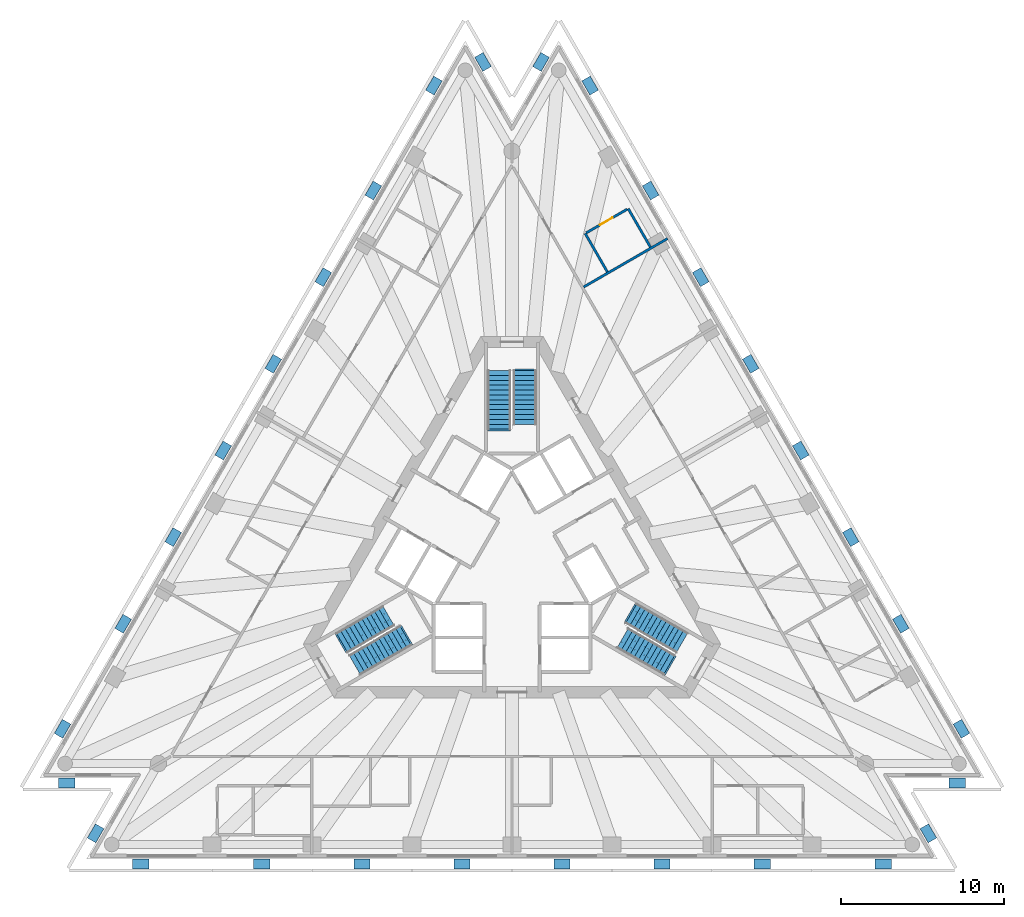
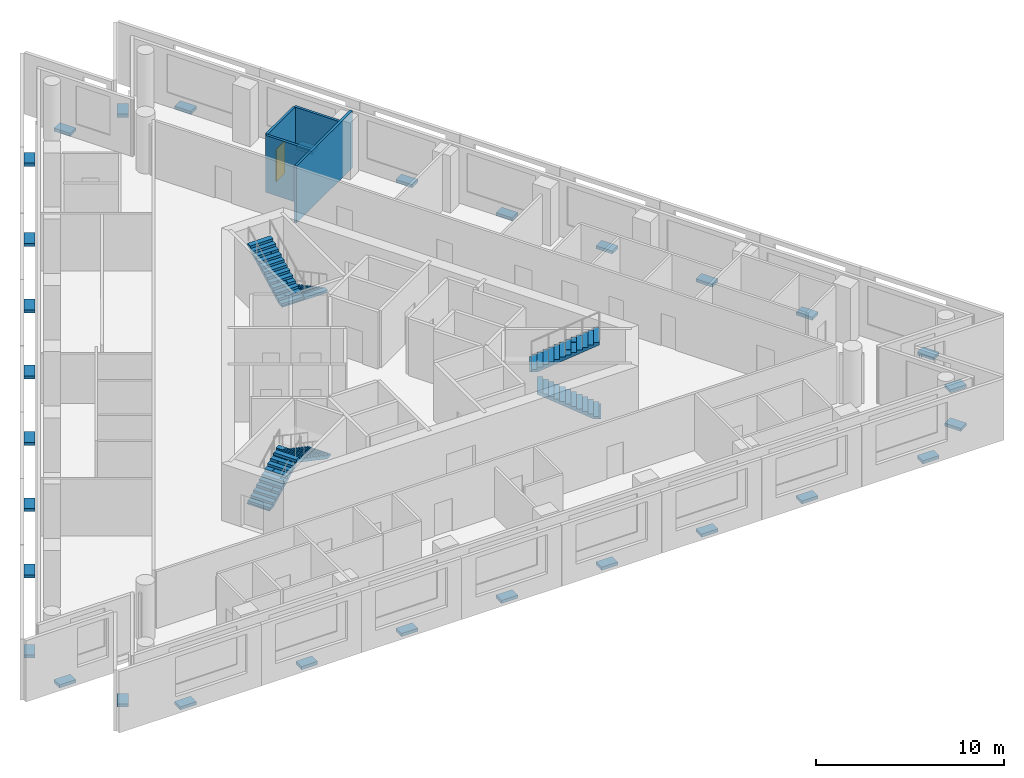
# One storey, part 7 of 9: 30 discrete accessories, 6 stair flights, 4 walls, 1 door, 1 opening, 3 elements without a shape of their own.
"""IFC4 building model written with IfcOpenShell, lengths in metres."""

from ifc_helpers import new_model, si_unit, direction, frame, frame_2d, origin, origin_2d, place, context, subcontext, project, spatial, polyline, rectangle, outline, extrude, material, layer, layer_set, type_object, element, fill, aggregate, save


model = new_model("IFC4")

# Units and contexts
model_context = context("Model", 3, precision=1e-05, world=origin(), true_north=direction((0.0, 1.0)))
body_context = subcontext(model_context, "Body", "Model", "MODEL_VIEW")
ifc_project = project(units=[si_unit("LENGTHUNIT", "METRE"), si_unit("AREAUNIT", "SQUARE_METRE"), si_unit("VOLUMEUNIT", "CUBIC_METRE"), si_unit("PLANEANGLEUNIT", "RADIAN"), si_unit("MASSUNIT", "GRAM", prefix="KILO")], contexts=[model_context])

# Site, building, storey
site_placement = place(None, origin())
site = spatial("IfcSite", under=ifc_project, at=site_placement, CompositionType="ELEMENT")
building_placement = place(site_placement, origin())
building = spatial("IfcBuilding", under=site, at=building_placement, Name="Triada Interchange Tower", CompositionType="ELEMENT")
storey_placement = place(building_placement, frame((0.0, 0.0, 207.300048828125)))
storey = spatial("IfcBuildingStorey", under=building, at=storey_placement, Name="L48", CompositionType="ELEMENT", Elevation=207.300048828125)

# Walls
ifc_material_1 = material(Name="Gypsum board partition")
ifc_layer_1 = layer(ifc_material_1, 0.14990234375)
ifc_layer_set_1 = layer_set([ifc_layer_1], Name="PARTITION 150 EI 180")
wall_type_1 = type_object("IfcWallType", Name="PARTITION 150 EI 180", PredefinedType="PARTITIONING", material=ifc_layer_set_1)
wall_1_placement = place(storey_placement, frame((4.39990234375, 16.72998046875, 0.0), z_axis=(0.0, 0.0, 1.0), x_axis=(0.866064581528, 0.499932136017, 0.0)))
element("IfcWall", 1, at=wall_1_placement, inside=storey, type_object=wall_type_1, Name="Wall L47 23", PredefinedType="PARTITIONING", context=body_context, shape_type="SweptSolid", body=[
    extrude(rectangle(XDim=5.946533203125, YDim=0.14990234375, at=frame_2d((2.97314453125, 0.0))), origin(), (0.0, 0.0, 1.0), 3.699951171875),
])
ifc_layer_2 = layer(ifc_material_1, 0.14990234375)
ifc_layer_set_2 = layer_set([ifc_layer_2], Name="PARTITION 150 EI 90")
wall_type_2 = type_object("IfcWallType", Name="PARTITION 150 EI 90", PredefinedType="PARTITIONING", material=ifc_layer_set_2)
for number, where, z_axis, x_axis, name in (
    (2, (7.135986328125, 21.5419921875, 0.0), (0.0, 0.0, 1.0), (0.499849133735, -0.866112488944, 0.0), "Wall L47 46"),
    (3, (4.493896484375, 20.01708984375, 0.0), (0.0, 0.0, 1.0), (0.499849133735, -0.866112488944, 0.0), "Wall L47 48"),
):
    element("IfcWall", number, at=place(storey_placement, frame(where, z_axis=z_axis, x_axis=x_axis)), inside=storey, type_object=wall_type_2, Name=name, PredefinedType="PARTITIONING", context=body_context, shape_type="SweptSolid", body=[
        extrude(rectangle(XDim=2.724853515625, YDim=0.14990234375, at=frame_2d((1.3623046875, 0.0))), origin(), (0.0, 0.0, 1.0), 3.699951171875),
    ])

# Wall, opening, door
wall_2_placement = place(storey_placement, frame((4.55908203125, 20.053955078125, 0.0), z_axis=(0.0, 0.0, 1.0), x_axis=(0.865929066901, 0.500166823267, 0.0)))
wall_2 = element("IfcWall", 4, at=wall_2_placement, inside=storey, type_object=wall_type_2, Name="Wall L47 52", PredefinedType="PARTITIONING", context=body_context, shape_type="SweptSolid", body=[
    extrude(rectangle(XDim=2.90087890625, YDim=0.14990234375, at=frame_2d((1.450439453125, 0.0))), origin(), (0.0, 0.0, 1.0), 3.699951171875),
])
opening_placement = place(wall_2_placement, frame((0.97509765625, 0.0, 0.0)))
opening = element("IfcOpeningElement", 5, at=opening_placement, cuts=wall_2, Name="Opening D47-32", PredefinedType="OPENING", context=body_context, shape_type="SweptSolid", body=[
    extrude(rectangle(XDim=0.89990234375, YDim=2.10009765625, at=frame_2d((0.449951171875, 1.050048828125))), frame((0.0, 0.0849609375, 0.0), z_axis=(0.0, -1.0, 0.0), x_axis=(1.0, 0.0, 0.0)), (0.0, 0.0, 1.0), 0.169921875),
])
ifc_material_2 = material(Name="Steel S235 door leaf", Category="steel")
door_type = type_object("IfcDoorType", Name="ROOM DOOR 900 EI2 45-C5S200", OperationType="NOTDEFINED", PredefinedType="DOOR", material=ifc_material_2)
door_placement = place(opening_placement, origin())
door = element("IfcDoor", 6, at=door_placement, inside=storey, type_object=door_type, Name="Door D47-32 L48", OperationType="SINGLE_SWING_LEFT", OverallHeight=2.10009765625, OverallWidth=0.89990234375, PredefinedType="DOOR", context=body_context, shape_type="SweptSolid", body=[
    extrude(rectangle(XDim=0.89990234375, YDim=2.10009765625, at=frame_2d((0.449951171875, 1.050048828125))), frame((0.0, 0.02490234375, 0.0), z_axis=(0.0, -1.0, 0.0), x_axis=(1.0, 0.0, 0.0)), (0.0, 0.0, 1.0), 0.050048828125),
])
fill(opening, door)

# Stair, stair flights
ifc_material_3 = material(Name="Concrete C35/45", Category="concrete")
stair_type = type_object("IfcStairType", Name="HALF TURN STAIR 1400", PredefinedType="HALF_TURN_STAIR", material=ifc_material_3)
stair_1_placement = place(storey_placement, origin())
stair_1 = element("IfcStair", 7, at=stair_1_placement, inside=storey, type_object=stair_type, Name="Exit stair S47-1", PredefinedType="HALF_TURN_STAIR")
stair_flight_type = type_object("IfcStairFlightType", Name="STRAIGHT STAIR FLIGHT 1400", PredefinedType="STRAIGHT", material=ifc_material_3)
stair_flight_1_placement = place(storey_placement, frame((0.800048828125, 11.60009765625, 0.0), z_axis=(0.0, 0.0, 1.0), x_axis=(0.0, -1.0, 0.0)))
stair_flight_1 = element("IfcStairFlight", 8, at=stair_flight_1_placement, type_object=stair_flight_type, Name="S47-1 flight 1", NumberOfRisers=12, NumberOfTreads=11, PredefinedType="STRAIGHT", RiserHeight=0.16, TreadLength=0.3, context=body_context, shape_type="SweptSolid", body=[
    extrude(outline(polyline([(-0.10009765625, 0.0), (-0.10009765625, 0.02001953125), (0.0, 0.02001953125), (0.0, 0.159912109375), (0.300048828125, 0.159912109375), (0.300048828125, 0.320068359375), (0.60009765625, 0.320068359375), (0.60009765625, 0.47998046875), (0.89990234375, 0.47998046875), (0.89990234375, 0.639892578125), (1.199951171875, 0.639892578125), (1.199951171875, 0.800048828125), (1.5, 0.800048828125), (1.5, 0.9599609375), (1.800048828125, 0.9599609375), (1.800048828125, 1.1201171875), (2.10009765625, 1.1201171875), (2.10009765625, 1.280029296875), (2.39990234375, 1.280029296875), (2.39990234375, 1.43994140625), (2.699951171875, 1.43994140625), (2.699951171875, 1.60009765625), (3.0, 1.60009765625), (3.0, 1.760009765625), (3.300048828125, 1.760009765625), (3.303955078125, 1.760009765625), (3.303955078125, 1.919921875), (3.303955078125, 1.590087890625), (0.318603515625, 0.0), (-0.10009765625, 0.0)])), frame((0.0, 0.699951171875, 0.0), z_axis=(0.0, -1.0, 0.0), x_axis=(1.0, 0.0, 0.0)), (0.0, 0.0, 1.0), 0.46533203125),
    extrude(outline(polyline([(-0.10009765625, 0.0), (-0.10009765625, 0.02001953125), (0.0, 0.02001953125), (0.0, 0.159912109375), (0.300048828125, 0.159912109375), (0.300048828125, 0.320068359375), (0.60009765625, 0.320068359375), (0.60009765625, 0.47998046875), (0.89990234375, 0.47998046875), (0.89990234375, 0.639892578125), (1.199951171875, 0.639892578125), (1.199951171875, 0.800048828125), (1.5, 0.800048828125), (1.5, 0.9599609375), (1.800048828125, 0.9599609375), (1.800048828125, 1.1201171875), (2.10009765625, 1.1201171875), (2.10009765625, 1.280029296875), (2.39990234375, 1.280029296875), (2.39990234375, 1.43994140625), (2.699951171875, 1.43994140625), (2.699951171875, 1.60009765625), (3.0, 1.60009765625), (3.0, 1.760009765625), (3.300048828125, 1.760009765625), (3.303955078125, 1.760009765625), (3.303955078125, 1.919921875), (3.303955078125, 1.590087890625), (0.318603515625, 0.0), (-0.10009765625, 0.0)])), frame((0.0, 0.232666015625, 0.0), z_axis=(0.0, -1.0, 0.0), x_axis=(1.0, 0.0, 0.0)), (0.0, 0.0, 1.0), 0.46533203125),
    extrude(outline(polyline([(-0.10009765625, 0.0), (-0.10009765625, 0.02001953125), (0.0, 0.02001953125), (0.0, 0.159912109375), (0.300048828125, 0.159912109375), (0.300048828125, 0.320068359375), (0.60009765625, 0.320068359375), (0.60009765625, 0.47998046875), (0.89990234375, 0.47998046875), (0.89990234375, 0.639892578125), (1.199951171875, 0.639892578125), (1.199951171875, 0.800048828125), (1.5, 0.800048828125), (1.5, 0.9599609375), (1.800048828125, 0.9599609375), (1.800048828125, 1.1201171875), (2.10009765625, 1.1201171875), (2.10009765625, 1.280029296875), (2.39990234375, 1.280029296875), (2.39990234375, 1.43994140625), (2.699951171875, 1.43994140625), (2.699951171875, 1.60009765625), (3.0, 1.60009765625), (3.0, 1.760009765625), (3.300048828125, 1.760009765625), (3.303955078125, 1.760009765625), (3.303955078125, 1.919921875), (3.303955078125, 1.590087890625), (0.318603515625, 0.0), (-0.10009765625, 0.0)])), frame((0.0, -0.234619140625, 0.0), z_axis=(0.0, -1.0, 0.0), x_axis=(1.0, 0.0, 0.0)), (0.0, 0.0, 1.0), 0.46533203125),
])
stair_flight_2_placement = place(storey_placement, frame((-0.800048828125, 8.0, 1.919921875), z_axis=(0.0, 0.0, 1.0), x_axis=(0.0, 1.0, 0.0)))
stair_flight_2 = element("IfcStairFlight", 9, at=stair_flight_2_placement, type_object=stair_flight_type, Name="S47-1 flight 2", NumberOfRisers=13, NumberOfTreads=12, PredefinedType="STRAIGHT", RiserHeight=0.16, TreadLength=0.3, context=body_context, shape_type="SweptSolid", body=[
    extrude(outline(polyline([(-0.10009765625, 0.0), (-0.10009765625, 0.02001953125), (0.0, 0.02001953125), (0.0, 0.159912109375), (0.300048828125, 0.159912109375), (0.300048828125, 0.320068359375), (0.60009765625, 0.320068359375), (0.60009765625, 0.47998046875), (0.89990234375, 0.47998046875), (0.89990234375, 0.639892578125), (1.199951171875, 0.639892578125), (1.199951171875, 0.800048828125), (1.5, 0.800048828125), (1.5, 0.9599609375), (1.800048828125, 0.9599609375), (1.800048828125, 1.1201171875), (2.10009765625, 1.1201171875), (2.10009765625, 1.280029296875), (2.39990234375, 1.280029296875), (2.39990234375, 1.43994140625), (2.699951171875, 1.43994140625), (2.699951171875, 1.60009765625), (3.0, 1.60009765625), (3.0, 1.760009765625), (3.300048828125, 1.760009765625), (3.300048828125, 1.919921875), (3.60009765625, 1.919921875), (3.60400390625, 1.919921875), (3.60400390625, 2.080078125), (3.60400390625, 1.75), (0.318603515625, 0.0), (-0.10009765625, 0.0)])), frame((0.0, 0.699951171875, 0.0), z_axis=(0.0, -1.0, 0.0), x_axis=(1.0, 0.0, 0.0)), (0.0, 0.0, 1.0), 0.46533203125),
    extrude(outline(polyline([(-0.10009765625, 0.0), (-0.10009765625, 0.02001953125), (0.0, 0.02001953125), (0.0, 0.159912109375), (0.300048828125, 0.159912109375), (0.300048828125, 0.320068359375), (0.60009765625, 0.320068359375), (0.60009765625, 0.47998046875), (0.89990234375, 0.47998046875), (0.89990234375, 0.639892578125), (1.199951171875, 0.639892578125), (1.199951171875, 0.800048828125), (1.5, 0.800048828125), (1.5, 0.9599609375), (1.800048828125, 0.9599609375), (1.800048828125, 1.1201171875), (2.10009765625, 1.1201171875), (2.10009765625, 1.280029296875), (2.39990234375, 1.280029296875), (2.39990234375, 1.43994140625), (2.699951171875, 1.43994140625), (2.699951171875, 1.60009765625), (3.0, 1.60009765625), (3.0, 1.760009765625), (3.300048828125, 1.760009765625), (3.300048828125, 1.919921875), (3.60009765625, 1.919921875), (3.60400390625, 1.919921875), (3.60400390625, 2.080078125), (3.60400390625, 1.75), (0.318603515625, 0.0), (-0.10009765625, 0.0)])), frame((0.0, 0.232666015625, 0.0), z_axis=(0.0, -1.0, 0.0), x_axis=(1.0, 0.0, 0.0)), (0.0, 0.0, 1.0), 0.46533203125),
    extrude(outline(polyline([(-0.10009765625, 0.0), (-0.10009765625, 0.02001953125), (0.0, 0.02001953125), (0.0, 0.159912109375), (0.300048828125, 0.159912109375), (0.300048828125, 0.320068359375), (0.60009765625, 0.320068359375), (0.60009765625, 0.47998046875), (0.89990234375, 0.47998046875), (0.89990234375, 0.639892578125), (1.199951171875, 0.639892578125), (1.199951171875, 0.800048828125), (1.5, 0.800048828125), (1.5, 0.9599609375), (1.800048828125, 0.9599609375), (1.800048828125, 1.1201171875), (2.10009765625, 1.1201171875), (2.10009765625, 1.280029296875), (2.39990234375, 1.280029296875), (2.39990234375, 1.43994140625), (2.699951171875, 1.43994140625), (2.699951171875, 1.60009765625), (3.0, 1.60009765625), (3.0, 1.760009765625), (3.300048828125, 1.760009765625), (3.300048828125, 1.919921875), (3.60009765625, 1.919921875), (3.60400390625, 1.919921875), (3.60400390625, 2.080078125), (3.60400390625, 1.75), (0.318603515625, 0.0), (-0.10009765625, 0.0)])), frame((0.0, -0.234619140625, 0.0), z_axis=(0.0, -1.0, 0.0), x_axis=(1.0, 0.0, 0.0)), (0.0, 0.0, 1.0), 0.46533203125),
])
aggregate(stair_1, [stair_flight_1, stair_flight_2])

stair_2_placement = place(storey_placement, origin())
stair_2 = element("IfcStair", 10, at=stair_2_placement, inside=storey, type_object=stair_type, Name="Exit stair S47-2", PredefinedType="HALF_TURN_STAIR")
stair_flight_3_placement = place(storey_placement, frame((-10.446044921875, -5.10693359375, 0.0), z_axis=(0.0, 0.0, 1.0), x_axis=(0.866025403784, 0.5, 0.0)))
stair_flight_3 = element("IfcStairFlight", 11, at=stair_flight_3_placement, type_object=stair_flight_type, Name="S47-2 flight 1", NumberOfRisers=12, NumberOfTreads=11, PredefinedType="STRAIGHT", RiserHeight=0.16, TreadLength=0.3, context=body_context, shape_type="SweptSolid", body=[
    extrude(outline(polyline([(-0.10009765625, 0.0), (-0.10009765625, 0.02001953125), (0.0, 0.02001953125), (0.0, 0.159912109375), (0.300048828125, 0.159912109375), (0.300048828125, 0.320068359375), (0.60009765625, 0.320068359375), (0.60009765625, 0.47998046875), (0.89990234375, 0.47998046875), (0.89990234375, 0.639892578125), (1.199951171875, 0.639892578125), (1.199951171875, 0.800048828125), (1.5, 0.800048828125), (1.5, 0.9599609375), (1.800048828125, 0.9599609375), (1.800048828125, 1.1201171875), (2.10009765625, 1.1201171875), (2.10009765625, 1.280029296875), (2.39990234375, 1.280029296875), (2.39990234375, 1.43994140625), (2.699951171875, 1.43994140625), (2.699951171875, 1.60009765625), (3.0, 1.60009765625), (3.0, 1.760009765625), (3.300048828125, 1.760009765625), (3.303955078125, 1.760009765625), (3.303955078125, 1.919921875), (3.303955078125, 1.590087890625), (0.318603515625, 0.0), (-0.10009765625, 0.0)])), frame((0.0, 0.699951171875, 0.0), z_axis=(0.0, -1.0, 0.0), x_axis=(1.0, 0.0, 0.0)), (0.0, 0.0, 1.0), 0.46533203125),
    extrude(outline(polyline([(-0.10009765625, 0.0), (-0.10009765625, 0.02001953125), (0.0, 0.02001953125), (0.0, 0.159912109375), (0.300048828125, 0.159912109375), (0.300048828125, 0.320068359375), (0.60009765625, 0.320068359375), (0.60009765625, 0.47998046875), (0.89990234375, 0.47998046875), (0.89990234375, 0.639892578125), (1.199951171875, 0.639892578125), (1.199951171875, 0.800048828125), (1.5, 0.800048828125), (1.5, 0.9599609375), (1.800048828125, 0.9599609375), (1.800048828125, 1.1201171875), (2.10009765625, 1.1201171875), (2.10009765625, 1.280029296875), (2.39990234375, 1.280029296875), (2.39990234375, 1.43994140625), (2.699951171875, 1.43994140625), (2.699951171875, 1.60009765625), (3.0, 1.60009765625), (3.0, 1.760009765625), (3.300048828125, 1.760009765625), (3.303955078125, 1.760009765625), (3.303955078125, 1.919921875), (3.303955078125, 1.590087890625), (0.318603515625, 0.0), (-0.10009765625, 0.0)])), frame((0.0, 0.232666015625, 0.0), z_axis=(0.0, -1.0, 0.0), x_axis=(1.0, 0.0, 0.0)), (0.0, 0.0, 1.0), 0.46533203125),
    extrude(outline(polyline([(-0.10009765625, 0.0), (-0.10009765625, 0.02001953125), (0.0, 0.02001953125), (0.0, 0.159912109375), (0.300048828125, 0.159912109375), (0.300048828125, 0.320068359375), (0.60009765625, 0.320068359375), (0.60009765625, 0.47998046875), (0.89990234375, 0.47998046875), (0.89990234375, 0.639892578125), (1.199951171875, 0.639892578125), (1.199951171875, 0.800048828125), (1.5, 0.800048828125), (1.5, 0.9599609375), (1.800048828125, 0.9599609375), (1.800048828125, 1.1201171875), (2.10009765625, 1.1201171875), (2.10009765625, 1.280029296875), (2.39990234375, 1.280029296875), (2.39990234375, 1.43994140625), (2.699951171875, 1.43994140625), (2.699951171875, 1.60009765625), (3.0, 1.60009765625), (3.0, 1.760009765625), (3.300048828125, 1.760009765625), (3.303955078125, 1.760009765625), (3.303955078125, 1.919921875), (3.303955078125, 1.590087890625), (0.318603515625, 0.0), (-0.10009765625, 0.0)])), frame((0.0, -0.234619140625, 0.0), z_axis=(0.0, -1.0, 0.0), x_axis=(1.0, 0.0, 0.0)), (0.0, 0.0, 1.0), 0.46533203125),
])
stair_flight_4_placement = place(storey_placement, frame((-6.528076171875, -4.693115234375, 1.919921875), z_axis=(0.0, 0.0, 1.0), x_axis=(-0.866025403784, -0.5, 0.0)))
stair_flight_4 = element("IfcStairFlight", 12, at=stair_flight_4_placement, type_object=stair_flight_type, Name="S47-2 flight 2", NumberOfRisers=13, NumberOfTreads=12, PredefinedType="STRAIGHT", RiserHeight=0.16, TreadLength=0.3, context=body_context, shape_type="SweptSolid", body=[
    extrude(outline(polyline([(-0.10009765625, 0.0), (-0.10009765625, 0.02001953125), (0.0, 0.02001953125), (0.0, 0.159912109375), (0.300048828125, 0.159912109375), (0.300048828125, 0.320068359375), (0.60009765625, 0.320068359375), (0.60009765625, 0.47998046875), (0.89990234375, 0.47998046875), (0.89990234375, 0.639892578125), (1.199951171875, 0.639892578125), (1.199951171875, 0.800048828125), (1.5, 0.800048828125), (1.5, 0.9599609375), (1.800048828125, 0.9599609375), (1.800048828125, 1.1201171875), (2.10009765625, 1.1201171875), (2.10009765625, 1.280029296875), (2.39990234375, 1.280029296875), (2.39990234375, 1.43994140625), (2.699951171875, 1.43994140625), (2.699951171875, 1.60009765625), (3.0, 1.60009765625), (3.0, 1.760009765625), (3.300048828125, 1.760009765625), (3.300048828125, 1.919921875), (3.60009765625, 1.919921875), (3.60400390625, 1.919921875), (3.60400390625, 2.080078125), (3.60400390625, 1.75), (0.318603515625, 0.0), (-0.10009765625, 0.0)])), frame((0.0, 0.699951171875, 0.0), z_axis=(0.0, -1.0, 0.0), x_axis=(1.0, 0.0, 0.0)), (0.0, 0.0, 1.0), 0.46533203125),
    extrude(outline(polyline([(-0.10009765625, 0.0), (-0.10009765625, 0.02001953125), (0.0, 0.02001953125), (0.0, 0.159912109375), (0.300048828125, 0.159912109375), (0.300048828125, 0.320068359375), (0.60009765625, 0.320068359375), (0.60009765625, 0.47998046875), (0.89990234375, 0.47998046875), (0.89990234375, 0.639892578125), (1.199951171875, 0.639892578125), (1.199951171875, 0.800048828125), (1.5, 0.800048828125), (1.5, 0.9599609375), (1.800048828125, 0.9599609375), (1.800048828125, 1.1201171875), (2.10009765625, 1.1201171875), (2.10009765625, 1.280029296875), (2.39990234375, 1.280029296875), (2.39990234375, 1.43994140625), (2.699951171875, 1.43994140625), (2.699951171875, 1.60009765625), (3.0, 1.60009765625), (3.0, 1.760009765625), (3.300048828125, 1.760009765625), (3.300048828125, 1.919921875), (3.60009765625, 1.919921875), (3.60400390625, 1.919921875), (3.60400390625, 2.080078125), (3.60400390625, 1.75), (0.318603515625, 0.0), (-0.10009765625, 0.0)])), frame((0.0, 0.232666015625, 0.0), z_axis=(0.0, -1.0, 0.0), x_axis=(1.0, 0.0, 0.0)), (0.0, 0.0, 1.0), 0.46533203125),
    extrude(outline(polyline([(-0.10009765625, 0.0), (-0.10009765625, 0.02001953125), (0.0, 0.02001953125), (0.0, 0.159912109375), (0.300048828125, 0.159912109375), (0.300048828125, 0.320068359375), (0.60009765625, 0.320068359375), (0.60009765625, 0.47998046875), (0.89990234375, 0.47998046875), (0.89990234375, 0.639892578125), (1.199951171875, 0.639892578125), (1.199951171875, 0.800048828125), (1.5, 0.800048828125), (1.5, 0.9599609375), (1.800048828125, 0.9599609375), (1.800048828125, 1.1201171875), (2.10009765625, 1.1201171875), (2.10009765625, 1.280029296875), (2.39990234375, 1.280029296875), (2.39990234375, 1.43994140625), (2.699951171875, 1.43994140625), (2.699951171875, 1.60009765625), (3.0, 1.60009765625), (3.0, 1.760009765625), (3.300048828125, 1.760009765625), (3.300048828125, 1.919921875), (3.60009765625, 1.919921875), (3.60400390625, 1.919921875), (3.60400390625, 2.080078125), (3.60400390625, 1.75), (0.318603515625, 0.0), (-0.10009765625, 0.0)])), frame((0.0, -0.234619140625, 0.0), z_axis=(0.0, -1.0, 0.0), x_axis=(1.0, 0.0, 0.0)), (0.0, 0.0, 1.0), 0.46533203125),
])
aggregate(stair_2, [stair_flight_3, stair_flight_4])

stair_3_placement = place(storey_placement, origin())
stair_3 = element("IfcStair", 13, at=stair_3_placement, inside=storey, type_object=stair_type, Name="Exit stair S47-3", PredefinedType="HALF_TURN_STAIR")
stair_flight_5_placement = place(storey_placement, frame((9.64599609375, -6.492919921875, 0.0), z_axis=(0.0, 0.0, 1.0), x_axis=(-0.866025403784, 0.5, 0.0)))
stair_flight_5 = element("IfcStairFlight", 14, at=stair_flight_5_placement, type_object=stair_flight_type, Name="S47-3 flight 1", NumberOfRisers=12, NumberOfTreads=11, PredefinedType="STRAIGHT", RiserHeight=0.16, TreadLength=0.3, context=body_context, shape_type="SweptSolid", body=[
    extrude(outline(polyline([(-0.10009765625, 0.0), (-0.10009765625, 0.02001953125), (0.0, 0.02001953125), (0.0, 0.159912109375), (0.300048828125, 0.159912109375), (0.300048828125, 0.320068359375), (0.60009765625, 0.320068359375), (0.60009765625, 0.47998046875), (0.89990234375, 0.47998046875), (0.89990234375, 0.639892578125), (1.199951171875, 0.639892578125), (1.199951171875, 0.800048828125), (1.5, 0.800048828125), (1.5, 0.9599609375), (1.800048828125, 0.9599609375), (1.800048828125, 1.1201171875), (2.10009765625, 1.1201171875), (2.10009765625, 1.280029296875), (2.39990234375, 1.280029296875), (2.39990234375, 1.43994140625), (2.699951171875, 1.43994140625), (2.699951171875, 1.60009765625), (3.0, 1.60009765625), (3.0, 1.760009765625), (3.300048828125, 1.760009765625), (3.303955078125, 1.760009765625), (3.303955078125, 1.919921875), (3.303955078125, 1.590087890625), (0.318603515625, 0.0), (-0.10009765625, 0.0)])), frame((0.0, 0.699951171875, 0.0), z_axis=(0.0, -1.0, 0.0), x_axis=(1.0, 0.0, 0.0)), (0.0, 0.0, 1.0), 0.46533203125),
    extrude(outline(polyline([(-0.10009765625, 0.0), (-0.10009765625, 0.02001953125), (0.0, 0.02001953125), (0.0, 0.159912109375), (0.300048828125, 0.159912109375), (0.300048828125, 0.320068359375), (0.60009765625, 0.320068359375), (0.60009765625, 0.47998046875), (0.89990234375, 0.47998046875), (0.89990234375, 0.639892578125), (1.199951171875, 0.639892578125), (1.199951171875, 0.800048828125), (1.5, 0.800048828125), (1.5, 0.9599609375), (1.800048828125, 0.9599609375), (1.800048828125, 1.1201171875), (2.10009765625, 1.1201171875), (2.10009765625, 1.280029296875), (2.39990234375, 1.280029296875), (2.39990234375, 1.43994140625), (2.699951171875, 1.43994140625), (2.699951171875, 1.60009765625), (3.0, 1.60009765625), (3.0, 1.760009765625), (3.300048828125, 1.760009765625), (3.303955078125, 1.760009765625), (3.303955078125, 1.919921875), (3.303955078125, 1.590087890625), (0.318603515625, 0.0), (-0.10009765625, 0.0)])), frame((0.0, 0.232666015625, 0.0), z_axis=(0.0, -1.0, 0.0), x_axis=(1.0, 0.0, 0.0)), (0.0, 0.0, 1.0), 0.46533203125),
    extrude(outline(polyline([(-0.10009765625, 0.0), (-0.10009765625, 0.02001953125), (0.0, 0.02001953125), (0.0, 0.159912109375), (0.300048828125, 0.159912109375), (0.300048828125, 0.320068359375), (0.60009765625, 0.320068359375), (0.60009765625, 0.47998046875), (0.89990234375, 0.47998046875), (0.89990234375, 0.639892578125), (1.199951171875, 0.639892578125), (1.199951171875, 0.800048828125), (1.5, 0.800048828125), (1.5, 0.9599609375), (1.800048828125, 0.9599609375), (1.800048828125, 1.1201171875), (2.10009765625, 1.1201171875), (2.10009765625, 1.280029296875), (2.39990234375, 1.280029296875), (2.39990234375, 1.43994140625), (2.699951171875, 1.43994140625), (2.699951171875, 1.60009765625), (3.0, 1.60009765625), (3.0, 1.760009765625), (3.300048828125, 1.760009765625), (3.303955078125, 1.760009765625), (3.303955078125, 1.919921875), (3.303955078125, 1.590087890625), (0.318603515625, 0.0), (-0.10009765625, 0.0)])), frame((0.0, -0.234619140625, 0.0), z_axis=(0.0, -1.0, 0.0), x_axis=(1.0, 0.0, 0.0)), (0.0, 0.0, 1.0), 0.46533203125),
])
stair_flight_6_placement = place(storey_placement, frame((7.327880859375, -3.306884765625, 1.919921875), z_axis=(0.0, 0.0, 1.0), x_axis=(0.866025403784, -0.5, 0.0)))
stair_flight_6 = element("IfcStairFlight", 15, at=stair_flight_6_placement, type_object=stair_flight_type, Name="S47-3 flight 2", NumberOfRisers=13, NumberOfTreads=12, PredefinedType="STRAIGHT", RiserHeight=0.16, TreadLength=0.3, context=body_context, shape_type="SweptSolid", body=[
    extrude(outline(polyline([(-0.10009765625, 0.0), (-0.10009765625, 0.02001953125), (0.0, 0.02001953125), (0.0, 0.159912109375), (0.300048828125, 0.159912109375), (0.300048828125, 0.320068359375), (0.60009765625, 0.320068359375), (0.60009765625, 0.47998046875), (0.89990234375, 0.47998046875), (0.89990234375, 0.639892578125), (1.199951171875, 0.639892578125), (1.199951171875, 0.800048828125), (1.5, 0.800048828125), (1.5, 0.9599609375), (1.800048828125, 0.9599609375), (1.800048828125, 1.1201171875), (2.10009765625, 1.1201171875), (2.10009765625, 1.280029296875), (2.39990234375, 1.280029296875), (2.39990234375, 1.43994140625), (2.699951171875, 1.43994140625), (2.699951171875, 1.60009765625), (3.0, 1.60009765625), (3.0, 1.760009765625), (3.300048828125, 1.760009765625), (3.300048828125, 1.919921875), (3.60009765625, 1.919921875), (3.60400390625, 1.919921875), (3.60400390625, 2.080078125), (3.60400390625, 1.75), (0.318603515625, 0.0), (-0.10009765625, 0.0)])), frame((0.0, 0.699951171875, 0.0), z_axis=(0.0, -1.0, 0.0), x_axis=(1.0, 0.0, 0.0)), (0.0, 0.0, 1.0), 0.46533203125),
    extrude(outline(polyline([(-0.10009765625, 0.0), (-0.10009765625, 0.02001953125), (0.0, 0.02001953125), (0.0, 0.159912109375), (0.300048828125, 0.159912109375), (0.300048828125, 0.320068359375), (0.60009765625, 0.320068359375), (0.60009765625, 0.47998046875), (0.89990234375, 0.47998046875), (0.89990234375, 0.639892578125), (1.199951171875, 0.639892578125), (1.199951171875, 0.800048828125), (1.5, 0.800048828125), (1.5, 0.9599609375), (1.800048828125, 0.9599609375), (1.800048828125, 1.1201171875), (2.10009765625, 1.1201171875), (2.10009765625, 1.280029296875), (2.39990234375, 1.280029296875), (2.39990234375, 1.43994140625), (2.699951171875, 1.43994140625), (2.699951171875, 1.60009765625), (3.0, 1.60009765625), (3.0, 1.760009765625), (3.300048828125, 1.760009765625), (3.300048828125, 1.919921875), (3.60009765625, 1.919921875), (3.60400390625, 1.919921875), (3.60400390625, 2.080078125), (3.60400390625, 1.75), (0.318603515625, 0.0), (-0.10009765625, 0.0)])), frame((0.0, 0.232666015625, 0.0), z_axis=(0.0, -1.0, 0.0), x_axis=(1.0, 0.0, 0.0)), (0.0, 0.0, 1.0), 0.46533203125),
    extrude(outline(polyline([(-0.10009765625, 0.0), (-0.10009765625, 0.02001953125), (0.0, 0.02001953125), (0.0, 0.159912109375), (0.300048828125, 0.159912109375), (0.300048828125, 0.320068359375), (0.60009765625, 0.320068359375), (0.60009765625, 0.47998046875), (0.89990234375, 0.47998046875), (0.89990234375, 0.639892578125), (1.199951171875, 0.639892578125), (1.199951171875, 0.800048828125), (1.5, 0.800048828125), (1.5, 0.9599609375), (1.800048828125, 0.9599609375), (1.800048828125, 1.1201171875), (2.10009765625, 1.1201171875), (2.10009765625, 1.280029296875), (2.39990234375, 1.280029296875), (2.39990234375, 1.43994140625), (2.699951171875, 1.43994140625), (2.699951171875, 1.60009765625), (3.0, 1.60009765625), (3.0, 1.760009765625), (3.300048828125, 1.760009765625), (3.300048828125, 1.919921875), (3.60009765625, 1.919921875), (3.60400390625, 1.919921875), (3.60400390625, 2.080078125), (3.60400390625, 1.75), (0.318603515625, 0.0), (-0.10009765625, 0.0)])), frame((0.0, -0.234619140625, 0.0), z_axis=(0.0, -1.0, 0.0), x_axis=(1.0, 0.0, 0.0)), (0.0, 0.0, 1.0), 0.46533203125),
])
aggregate(stair_3, [stair_flight_5, stair_flight_6])

# Discrete accessories
ifc_material_4 = material(Name="Steel S355", Category="steel")
discrete_accessory_type = type_object("IfcDiscreteAccessoryType", Name="Steel bracket outer skin", PredefinedType="BRACKET", material=ifc_material_4)
for number, where, z_axis, x_axis, name in (
    (16, (-4.794921875, 29.10009765625, -0.27001953125), (0.0, 0.0, 1.0), (-0.86602119751, 0.50000728541, 0.0), "Bracket L48 01"),
    (17, (-8.51611328125, 22.654052734375, -0.27001953125), (0.0, 0.0, 1.0), (-0.86602119751, 0.50000728541, 0.0), "Bracket L48 02"),
    (18, (-11.589111328125, 17.3330078125, -0.27001953125), (0.0, 0.0, 1.0), (-0.86602119751, 0.50000728541, 0.0), "Bracket L48 03"),
    (19, (-14.660888671875, 12.011962890625, -0.27001953125), (0.0, 0.0, 1.0), (-0.86602119751, 0.50000728541, 0.0), "Bracket L48 04"),
    (20, (-17.73291015625, 6.69091796875, -0.27001953125), (0.0, 0.0, 1.0), (-0.86602119751, 0.50000728541, 0.0), "Bracket L48 05"),
    (21, (-20.804931640625, 1.3701171875, -0.27001953125), (0.0, 0.0, 1.0), (-0.86602119751, 0.50000728541, 0.0), "Bracket L48 06"),
    (22, (-23.876953125, -3.950927734375, -0.27001953125), (0.0, 0.0, 1.0), (-0.86602119751, 0.50000728541, 0.0), "Bracket L48 07"),
    (23, (-27.59912109375, -10.39697265625, -0.27001953125), (0.0, 0.0, 1.0), (-0.86602119751, 0.50000728541, 0.0), "Bracket L48 08"),
    (24, (-27.347900390625, -13.73291015625, -0.27001953125), (0.0, 0.0, 1.0), (0.0, -1.0, 0.0), "Bracket L48 09"),
    (25, (-25.568115234375, -16.818115234375, -0.27001953125), (0.0, 0.0, 1.0), (-0.866014346912, 0.500019150576, 0.0), "Bracket L48 10"),
    (26, (-22.803955078125, -18.701904296875, -0.27001953125), (0.0, 0.0, 1.0), (0.0, -1.0, 0.0), "Bracket L48 11"),
    (27, (-15.361083984375, -18.701904296875, -0.27001953125), (0.0, 0.0, 1.0), (0.0, -1.0, 0.0), "Bracket L48 12"),
    (28, (-9.216064453125, -18.701904296875, -0.27001953125), (0.0, 0.0, 1.0), (0.0, -1.0, 0.0), "Bracket L48 13"),
    (29, (-3.072021484375, -18.701904296875, -0.27001953125), (0.0, 0.0, 1.0), (0.0, -1.0, 0.0), "Bracket L48 14"),
    (30, (3.072021484375, -18.701904296875, -0.27001953125), (0.0, 0.0, 1.0), (0.0, -1.0, 0.0), "Bracket L48 15"),
    (31, (9.216064453125, -18.701904296875, -0.27001953125), (0.0, 0.0, 1.0), (0.0, -1.0, 0.0), "Bracket L48 16"),
    (32, (15.361083984375, -18.701904296875, -0.27001953125), (0.0, 0.0, 1.0), (0.0, -1.0, 0.0), "Bracket L48 17"),
    (33, (22.803955078125, -18.701904296875, -0.27001953125), (0.0, 0.0, 1.0), (0.0, -1.0, 0.0), "Bracket L48 18"),
    (34, (25.568115234375, -16.818115234375, -0.27001953125), (0.0, 0.0, 1.0), (0.866014346912, 0.500019150576, 0.0), "Bracket L48 19"),
    (35, (27.347900390625, -13.73291015625, -0.27001953125), (0.0, 0.0, 1.0), (0.0, -1.0, 0.0), "Bracket L48 20"),
    (36, (27.59912109375, -10.39697265625, -0.27001953125), (0.0, 0.0, 1.0), (0.86602119751, 0.50000728541, 0.0), "Bracket L48 21"),
    (37, (23.876953125, -3.950927734375, -0.27001953125), (0.0, 0.0, 1.0), (0.86602119751, 0.50000728541, 0.0), "Bracket L48 22"),
    (38, (20.804931640625, 1.3701171875, -0.27001953125), (0.0, 0.0, 1.0), (0.86602119751, 0.50000728541, 0.0), "Bracket L48 23"),
    (39, (17.73291015625, 6.69091796875, -0.27001953125), (0.0, 0.0, 1.0), (0.86602119751, 0.50000728541, 0.0), "Bracket L48 24"),
    (40, (14.660888671875, 12.011962890625, -0.27001953125), (0.0, 0.0, 1.0), (0.86602119751, 0.50000728541, 0.0), "Bracket L48 25"),
    (41, (11.589111328125, 17.3330078125, -0.27001953125), (0.0, 0.0, 1.0), (0.86602119751, 0.50000728541, 0.0), "Bracket L48 26"),
    (42, (8.51611328125, 22.654052734375, -0.27001953125), (0.0, 0.0, 1.0), (0.86602119751, 0.50000728541, 0.0), "Bracket L48 27"),
    (43, (4.794921875, 29.10009765625, -0.27001953125), (0.0, 0.0, 1.0), (0.86602119751, 0.50000728541, 0.0), "Bracket L48 28"),
    (44, (1.781005859375, 30.551025390625, -0.27001953125), (0.0, 0.0, 1.0), (-0.865970761082, 0.500094631996, 0.0), "Bracket L48 29"),
    (45, (-1.781005859375, 30.551025390625, -0.27001953125), (0.0, 0.0, 1.0), (0.865970761082, 0.500094631996, 0.0), "Bracket L48 30"),
):
    element("IfcDiscreteAccessory", number, at=place(storey_placement, frame(where, z_axis=z_axis, x_axis=x_axis)), inside=storey, type_object=discrete_accessory_type, Name=name, PredefinedType="BRACKET", context=body_context, shape_type="SweptSolid", body=[
        extrude(rectangle(XDim=0.60009765625, YDim=1.0, at=origin_2d()), origin(), (0.0, 0.0, 1.0), 0.199951171875),
    ])

save(model, "model.ifc")
